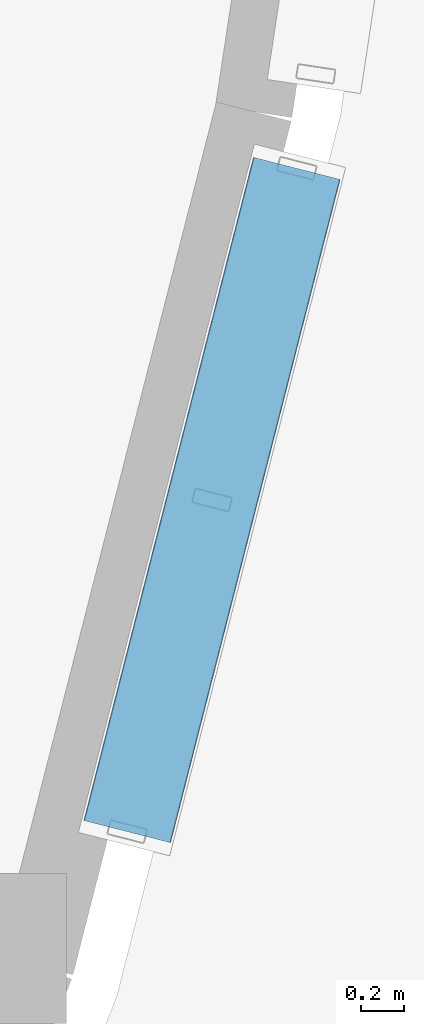
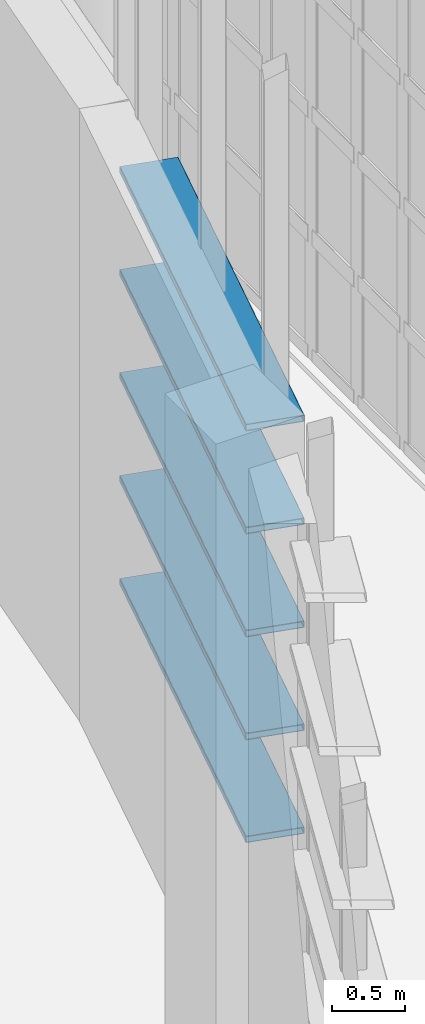
# One storey, part 215 of 372: 5 members.
"""IFC4 building model written with IfcOpenShell, lengths in metres."""

from ifc_helpers import new_model, si_unit, direction, frame, origin, origin_2d, place, context, subcontext, project, spatial, hollow_rectangle, extrude, material, material_profile, profile_set, type_object, element, save


model = new_model("IFC4")

# Units and contexts
model_context = context("Model", 3, precision=1e-05, world=origin(), true_north=direction((0.0, 1.0)))
body_context = subcontext(model_context, "Body", "Model", "MODEL_VIEW")
ifc_project = project(units=[si_unit("LENGTHUNIT", "METRE"), si_unit("AREAUNIT", "SQUARE_METRE"), si_unit("VOLUMEUNIT", "CUBIC_METRE"), si_unit("PLANEANGLEUNIT", "RADIAN"), si_unit("MASSUNIT", "GRAM", prefix="KILO")], contexts=[model_context])

# Site, building, storey
site_placement = place(None, origin())
site = spatial("IfcSite", under=ifc_project, at=site_placement, CompositionType="ELEMENT")
building_placement = place(site_placement, origin())
building = spatial("IfcBuilding", under=site, at=building_placement, Name="Kaelora Sail Theatre", CompositionType="ELEMENT")
storey_placement = place(building_placement, origin())
storey = spatial("IfcBuildingStorey", under=building, at=storey_placement, Name="L00", CompositionType="ELEMENT", Elevation=0.0)

# Members
ifc_material = material(Name="Anodised aluminium 6063-T6", Category="aluminium")
ifc_material_profile = material_profile(ifc_material, hollow_rectangle(XDim=0.419921875, YDim=0.054931640625, WallThickness=0.00390625, InnerFilletRadius=0.00390625, OuterFilletRadius=0.008056640625, at=origin_2d()), Name="LOUVRE 420x55x4")
ifc_profile_set = profile_set([ifc_material_profile], Name="Anodised aluminium 6063-T6")
member_type = type_object("IfcMemberType", Name="ARC-MEM-LVR-420", PredefinedType="USERDEFINED", material=ifc_profile_set)
for number, where, z_axis, x_axis, name in (
    (1, (103.744140625, 47.24560546875, 1.25), (-0.24769312213, -0.968838540341, 0.0), (0.968838540341, -0.24769312213, 0.0), "Studio Theatre Sail Drum horizontal solar louvre C4-01"),
    (2, (103.744140625, 47.24560546875, 2.110107421875), (-0.24769312213, -0.968838540341, 0.0), (0.968838540341, -0.24769312213, 0.0), "Studio Theatre Sail Drum horizontal solar louvre C4-02"),
    (3, (103.744140625, 47.24560546875, 2.969970703125), (-0.24769312213, -0.968838540341, 0.0), (0.968838540341, -0.24769312213, 0.0), "Studio Theatre Sail Drum horizontal solar louvre C4-03"),
    (4, (103.744140625, 47.24560546875, 3.830078125), (-0.24769312213, -0.968838540341, 0.0), (0.968838540341, -0.24769312213, 0.0), "Studio Theatre Sail Drum horizontal solar louvre C4-04"),
    (5, (103.744140625, 47.24560546875, 4.68994140625), (-0.24769312213, -0.968838540341, 0.0), (0.968838540341, -0.24769312213, 0.0), "Studio Theatre Sail Drum horizontal solar louvre C4-05"),
):
    element("IfcMember", number, at=place(storey_placement, frame(where, z_axis=z_axis, x_axis=x_axis)), inside=storey, type_object=member_type, Name=name, ObjectType="LOUVRE", PredefinedType="USERDEFINED", context=body_context, shape_type="SweptSolid", body=[
        extrude(hollow_rectangle(XDim=0.419921875, YDim=0.054931640625, WallThickness=0.00390625, InnerFilletRadius=0.00390625, OuterFilletRadius=0.008056640625, at=origin_2d()), origin(), (0.0, 0.0, 1.0), 3.194580078125),
    ])

save(model, "model.ifc")
